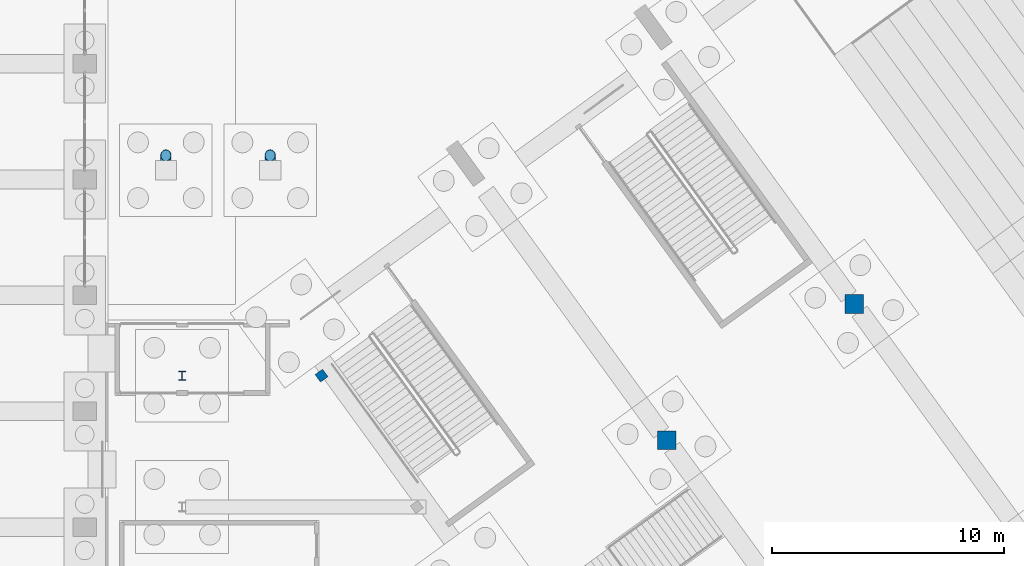
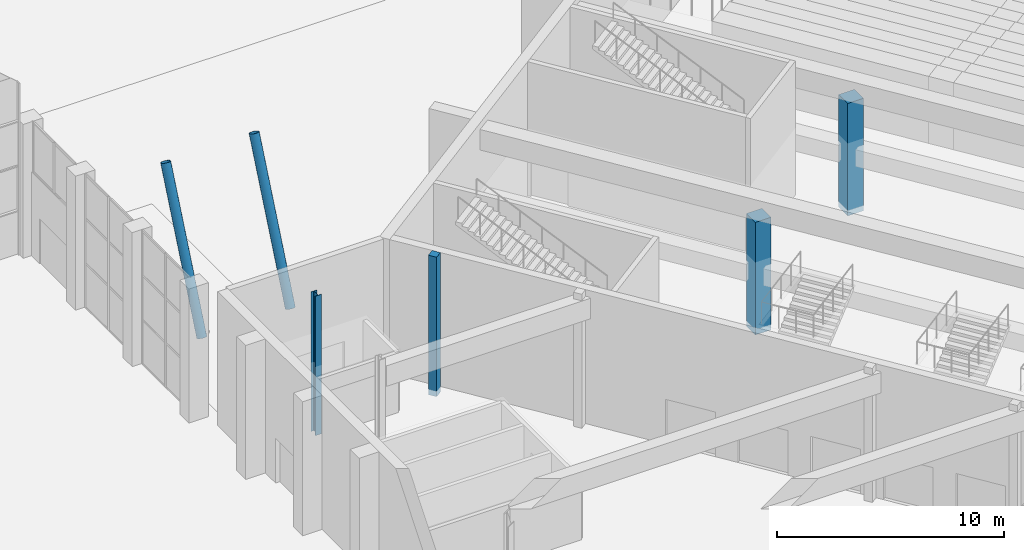
# One storey, part 46 of 239: 6 columns.
"""IFC4 building model written with IfcOpenShell, lengths in metres."""

from ifc_helpers import new_model, si_unit, direction, frame, origin, origin_2d, place, context, subcontext, project, spatial, rectangle, hollow_circle, i_section, extrude, material, material_profile, profile_set, type_object, element, save


model = new_model("IFC4")

# Units and contexts
model_context = context("Model", 3, precision=1e-05, world=origin(), true_north=direction((0.0, 1.0)))
body_context = subcontext(model_context, "Body", "Model", "MODEL_VIEW")
ifc_project = project(units=[si_unit("LENGTHUNIT", "METRE"), si_unit("AREAUNIT", "SQUARE_METRE"), si_unit("VOLUMEUNIT", "CUBIC_METRE"), si_unit("PLANEANGLEUNIT", "RADIAN"), si_unit("MASSUNIT", "GRAM", prefix="KILO")], contexts=[model_context])

# Site, building, storey
site_placement = place(None, origin())
site = spatial("IfcSite", under=ifc_project, at=site_placement, CompositionType="ELEMENT")
building_placement = place(site_placement, origin())
building = spatial("IfcBuilding", under=site, at=building_placement, Name="Okhra Congress Centre", CompositionType="ELEMENT")
storey_placement = place(building_placement, origin())
storey = spatial("IfcBuildingStorey", under=building, at=storey_placement, Name="L00", CompositionType="ELEMENT", Elevation=0.0)

# Columns
ifc_material_1 = material(Name="Steel S355J2H", Category="steel")
ifc_material_profile_1 = material_profile(ifc_material_1, hollow_circle(Radius=0.228515625, WallThickness=0.012451171875, at=origin_2d()), Name="CHS 457x12.5")
ifc_profile_set_1 = profile_set([ifc_material_profile_1], Name="Steel S355J2H")
column_type_1 = type_object("IfcColumnType", Name="CHS 457x12.5", PredefinedType="COLUMN", material=ifc_profile_set_1)
for number, where, z_axis, x_axis, name in (
    (1, (192.5, 206.39990234375, -0.300048828125), (0.0, 0.390455182714, 0.920621936678), (-1.0, 0.0, 0.0), "North canopy strut 1 lower"),
    (2, (197.0, 206.39990234375, -0.300048828125), (0.0, 0.390455182714, 0.920621936678), (-1.0, 0.0, 0.0), "North canopy strut 2 lower"),
):
    element("IfcColumn", number, at=place(storey_placement, frame(where, z_axis=z_axis, x_axis=x_axis)), inside=storey, type_object=column_type_1, Name=name, PredefinedType="COLUMN", context=body_context, shape_type="SweptSolid", body=[
        extrude(hollow_circle(Radius=0.228515625, WallThickness=0.012451171875, at=origin_2d()), origin(), (0.0, 0.0, 1.0), 8.146728515625),
    ])
ifc_material_2 = material(Name="Steel S355J2", Category="steel")
ifc_material_profile_2 = material_profile(ifc_material_2, i_section(OverallWidth=0.300048828125, OverallDepth=0.39990234375, WebThickness=0.013427734375, FlangeThickness=0.02392578125, FilletRadius=0.027099609375, at=origin_2d()), Name="HE 400 B")
ifc_profile_set_2 = profile_set([ifc_material_profile_2], Name="Steel S355J2")
column_type_2 = type_object("IfcColumnType", Name="HE 400 B", PredefinedType="COLUMN", material=ifc_profile_set_2)
column_1_placement = place(storey_placement, frame((193.199951171875, 197.5400390625, -0.300048828125), z_axis=(0.0, 0.0, 1.0), x_axis=(1.0, 0.0, 0.0)))
element("IfcColumn", 3, at=column_1_placement, inside=storey, type_object=column_type_2, Name="Foyer roof column 7", PredefinedType="COLUMN", context=body_context, shape_type="SweptSolid", body=[
    extrude(i_section(OverallWidth=0.300048828125, OverallDepth=0.39990234375, WebThickness=0.013427734375, FlangeThickness=0.02392578125, FilletRadius=0.027099609375, at=origin_2d()), origin(), (0.0, 0.0, 1.0), 7.5),
])
ifc_material_3 = material(Name="Concrete C35/45", Category="concrete")
ifc_material_profile_3 = material_profile(ifc_material_3, rectangle(XDim=0.800048828125, YDim=0.800048828125, at=origin_2d()), Name="RC column 800x800")
ifc_profile_set_3 = profile_set([ifc_material_profile_3], Name="Concrete C35/45")
column_type_3 = type_object("IfcColumnType", Name="RC column 800x800", PredefinedType="COLUMN", material=ifc_profile_set_3)
for number, where, z_axis, x_axis, name in (
    (4, (214.095458984375, 194.751953125, -0.300048828125), (0.0, 0.0, 1.0), (1.0, 0.0, 0.0), "Balcony column 3"),
    (5, (222.185546875, 200.6298828125, -0.300048828125), (0.0, 0.0, 1.0), (1.0, 0.0, 0.0), "Balcony column 6"),
):
    element("IfcColumn", number, at=place(storey_placement, frame(where, z_axis=z_axis, x_axis=x_axis)), inside=storey, type_object=column_type_3, Name=name, PredefinedType="COLUMN", context=body_context, shape_type="SweptSolid", body=[
        extrude(rectangle(XDim=0.800048828125, YDim=0.800048828125, at=origin_2d()), origin(), (0.0, 0.0, 1.0), 6.050048828125),
    ])
ifc_material_profile_4 = material_profile(ifc_material_3, rectangle(XDim=0.39990234375, YDim=0.39990234375, at=origin_2d()), Name="RC pilaster 400x400")
ifc_profile_set_4 = profile_set([ifc_material_profile_4], Name="Concrete C35/45")
column_type_4 = type_object("IfcColumnType", Name="RC pilaster 400x400", PredefinedType="COLUMN", material=ifc_profile_set_4)
column_2_placement = place(storey_placement, frame((199.214599609375, 197.5400390625, -0.300048828125), z_axis=(0.0, 0.0, 1.0), x_axis=(0.809016994375, 0.587785252292, 0.0)))
element("IfcColumn", 6, at=column_2_placement, inside=storey, type_object=column_type_4, Name="Foyer pilaster 7", PredefinedType="COLUMN", context=body_context, shape_type="SweptSolid", body=[
    extrude(rectangle(XDim=0.39990234375, YDim=0.39990234375, at=origin_2d()), origin(), (0.0, 0.0, 1.0), 7.5),
])

save(model, "model.ifc")
